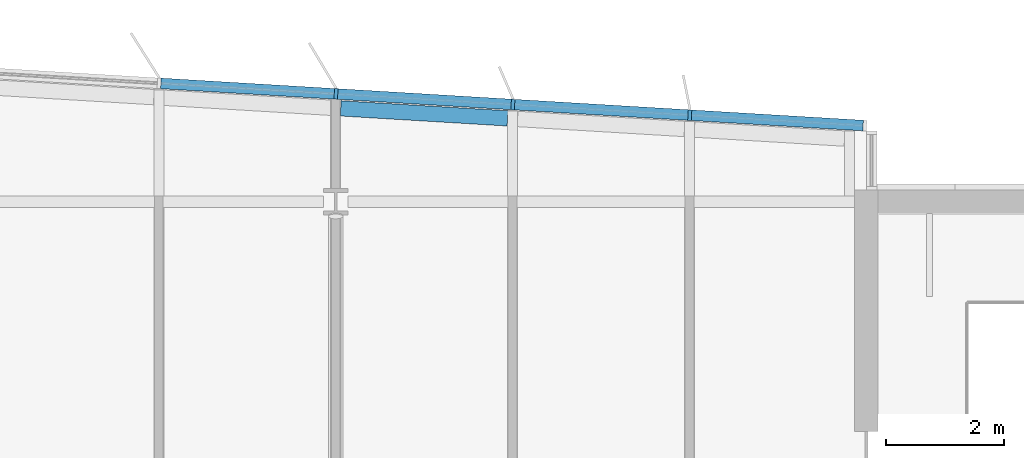
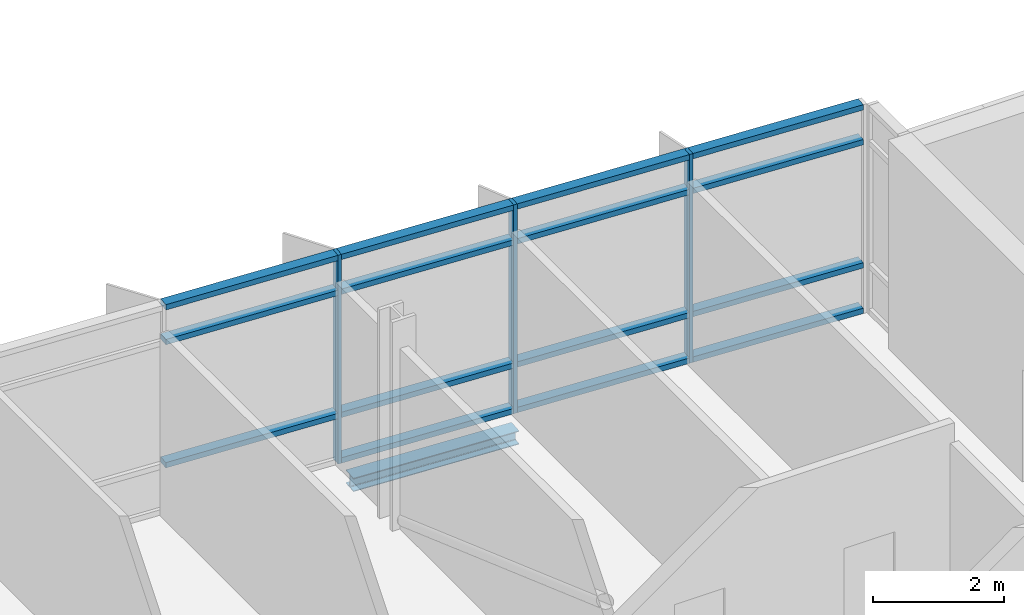
# One storey, part 9 of 18: 18 members, 1 beam, 1 element without a shape of its own.
"""IFC4 building model written with IfcOpenShell, lengths in metres."""

from ifc_helpers import new_model, si_unit, direction, frame, origin, origin_2d, place, context, subcontext, project, spatial, rectangle, i_section, extrude, material, material_profile, profile_set, type_object, element, aggregate, save


model = new_model("IFC4")

# Units and contexts
model_context = context("Model", 3, precision=1e-05, world=origin(), true_north=direction((0.0, 1.0)))
body_context = subcontext(model_context, "Body", "Model", "MODEL_VIEW")
ifc_project = project(units=[si_unit("LENGTHUNIT", "METRE"), si_unit("AREAUNIT", "SQUARE_METRE"), si_unit("VOLUMEUNIT", "CUBIC_METRE"), si_unit("PLANEANGLEUNIT", "RADIAN"), si_unit("MASSUNIT", "GRAM", prefix="KILO")], contexts=[model_context])

# Site, building, storey
site_placement = place(None, origin())
site = spatial("IfcSite", under=ifc_project, at=site_placement, CompositionType="ELEMENT")
building_placement = place(site_placement, origin())
building = spatial("IfcBuilding", under=site, at=building_placement, Name="Azimuth Sports and Learning Centre", CompositionType="ELEMENT")
storey_placement = place(building_placement, frame((0.0, 0.0, 55.800048828125)))
storey = spatial("IfcBuildingStorey", under=building, at=storey_placement, Name="L12", CompositionType="ELEMENT", Elevation=55.800048828125)

# Beam
ifc_material_1 = material(Name="Steel S355", Category="steel")
ifc_material_profile_1 = material_profile(ifc_material_1, i_section(OverallWidth=0.260009765625, OverallDepth=0.25, WebThickness=0.007568359375, FlangeThickness=0.012451171875, FilletRadius=0.02392578125, at=origin_2d()), Name="HEA 260")
ifc_profile_set_1 = profile_set([ifc_material_profile_1], Name="Steel S355")
beam_type = type_object("IfcBeamType", Name="Edge beam HEA 260", PredefinedType="SPANDREL", material=ifc_profile_set_1)
beam_placement = place(storey_placement, frame((99.0849609375, 118.5849609375, -0.255126953125), z_axis=(0.998202373506, -0.059933475842, 0.0), x_axis=(0.059933475842, 0.998202373506, 0.0)))
element("IfcBeam", 1, at=beam_placement, inside=storey, type_object=beam_type, Name="Tower edge beam", PredefinedType="SPANDREL", context=body_context, shape_type="SweptSolid", body=[
    extrude(i_section(OverallWidth=0.260009765625, OverallDepth=0.25, WebThickness=0.007568359375, FlangeThickness=0.012451171875, FilletRadius=0.02392578125, at=origin_2d()), origin(), (0.0, 0.0, 1.0), 2.835205078125),
])

# Curtain wall, members
ifc_material_2 = material(Name="Aluminium and glass", Category="aluminium")
curtain_wall_type = type_object("IfcCurtainWallType", Name="Curtain wall tower north 180", PredefinedType="NOTDEFINED", material=ifc_material_2)
curtain_wall_placement = place(storey_placement, origin())
curtain_wall = element("IfcCurtainWall", 2, at=curtain_wall_placement, inside=storey, type_object=curtain_wall_type, Name="Curtain wall CW12-007", PredefinedType="NOTDEFINED")
ifc_material_3 = material(Name="Aluminium", Category="aluminium")
ifc_material_profile_2 = material_profile(ifc_material_3, rectangle(XDim=0.179931640625, YDim=0.06005859375, at=origin_2d()), Name="Mullion 60x180")
ifc_profile_set_2 = profile_set([ifc_material_profile_2], Name="Aluminium")
member_type_1 = type_object("IfcMemberType", Name="Mullion 60x180", PredefinedType="MULLION", material=ifc_profile_set_2)
member_1_placement = place(storey_placement, frame((105.00537109375, 118.4697265625, 0.0), z_axis=(0.0, 0.0, 1.0), x_axis=(-0.059891991812, -0.998204863401, 0.0)))
member_1 = element("IfcMember", 3, at=member_1_placement, type_object=member_type_1, Name="CW12-007 mullion 2", PredefinedType="MULLION", context=body_context, shape_type="SweptSolid", body=[
    extrude(rectangle(XDim=0.179931640625, YDim=0.06005859375, at=origin_2d()), origin(), (0.0, 0.0, 1.0), 3.89990234375),
])
member_2_placement = place(storey_placement, frame((102.00537109375, 118.64990234375, 0.0), z_axis=(0.0, 0.0, 1.0), x_axis=(-0.059891991812, -0.998204863401, 0.0)))
member_2 = element("IfcMember", 4, at=member_2_placement, type_object=member_type_1, Name="CW12-007 mullion 3", PredefinedType="MULLION", context=body_context, shape_type="SweptSolid", body=[
    extrude(rectangle(XDim=0.179931640625, YDim=0.06005859375, at=origin_2d()), origin(), (0.0, 0.0, 1.0), 3.89990234375),
])
member_3_placement = place(storey_placement, frame((99.00537109375, 118.829833984375, 0.0), z_axis=(0.0, 0.0, 1.0), x_axis=(-0.059891991812, -0.998204863401, 0.0)))
member_3 = element("IfcMember", 5, at=member_3_placement, type_object=member_type_1, Name="CW12-007 mullion 4", PredefinedType="MULLION", context=body_context, shape_type="SweptSolid", body=[
    extrude(rectangle(XDim=0.179931640625, YDim=0.06005859375, at=origin_2d()), origin(), (0.0, 0.0, 1.0), 3.89990234375),
])
ifc_material_4 = material(Name="Aluminium", Category="aluminium")
ifc_material_profile_3 = material_profile(ifc_material_4, rectangle(XDim=0.179931640625, YDim=0.10009765625, at=origin_2d()), Name="Transom 100x180")
ifc_profile_set_3 = profile_set([ifc_material_profile_3], Name="Aluminium")
member_type_2 = type_object("IfcMemberType", Name="Transom 100x180", PredefinedType="USERDEFINED", material=ifc_profile_set_3)
member_4_placement = place(storey_placement, frame((107.945556640625, 118.29345703125, 0.050048828125), z_axis=(-0.998205846627, 0.059875602377, 0.0), x_axis=(-0.059875602377, -0.998205846627, 0.0)))
member_4 = element("IfcMember", 6, at=member_4_placement, type_object=member_type_2, Name="CW12-007 transom 1.1", ObjectType="TRANSOM", PredefinedType="USERDEFINED", context=body_context, shape_type="SweptSolid", body=[
    extrude(rectangle(XDim=0.179931640625, YDim=0.10009765625, at=origin_2d()), origin(), (0.0, 0.0, 1.0), 2.915283203125),
])
member_5_placement = place(storey_placement, frame((107.945556640625, 118.29345703125, 0.89990234375), z_axis=(-0.998205846627, 0.059875602377, 0.0), x_axis=(-0.059875602377, -0.998205846627, 0.0)))
member_5 = element("IfcMember", 7, at=member_5_placement, type_object=member_type_2, Name="CW12-007 transom 1.2", ObjectType="TRANSOM", PredefinedType="USERDEFINED", context=body_context, shape_type="SweptSolid", body=[
    extrude(rectangle(XDim=0.179931640625, YDim=0.10009765625, at=origin_2d()), origin(), (0.0, 0.0, 1.0), 2.915283203125),
])
member_6_placement = place(storey_placement, frame((107.945556640625, 118.29345703125, 3.199951171875), z_axis=(-0.998205846627, 0.059875602377, 0.0), x_axis=(-0.059875602377, -0.998205846627, 0.0)))
member_6 = element("IfcMember", 8, at=member_6_placement, type_object=member_type_2, Name="CW12-007 transom 1.3", ObjectType="TRANSOM", PredefinedType="USERDEFINED", context=body_context, shape_type="SweptSolid", body=[
    extrude(rectangle(XDim=0.179931640625, YDim=0.10009765625, at=origin_2d()), origin(), (0.0, 0.0, 1.0), 2.915283203125),
])
member_7_placement = place(storey_placement, frame((107.945556640625, 118.29345703125, 3.849853515625), z_axis=(-0.998205846627, 0.059875602377, 0.0), x_axis=(-0.059875602377, -0.998205846627, 0.0)))
member_7 = element("IfcMember", 9, at=member_7_placement, type_object=member_type_2, Name="CW12-007 transom 1.4", ObjectType="TRANSOM", PredefinedType="USERDEFINED", context=body_context, shape_type="SweptSolid", body=[
    extrude(rectangle(XDim=0.179931640625, YDim=0.10009765625, at=origin_2d()), origin(), (0.0, 0.0, 1.0), 2.915283203125),
])
member_8_placement = place(storey_placement, frame((104.975341796875, 118.4716796875, 0.050048828125), z_axis=(-0.998207421552, 0.059849340505, 0.0), x_axis=(-0.059849340505, -0.998207421552, 0.0)))
member_8 = element("IfcMember", 10, at=member_8_placement, type_object=member_type_2, Name="CW12-007 transom 2.1", ObjectType="TRANSOM", PredefinedType="USERDEFINED", context=body_context, shape_type="SweptSolid", body=[
    extrude(rectangle(XDim=0.179931640625, YDim=0.10009765625, at=origin_2d()), origin(), (0.0, 0.0, 1.0), 2.9453125),
])
member_9_placement = place(storey_placement, frame((104.975341796875, 118.4716796875, 0.89990234375), z_axis=(-0.998207421552, 0.059849340505, 0.0), x_axis=(-0.059849340505, -0.998207421552, 0.0)))
member_9 = element("IfcMember", 11, at=member_9_placement, type_object=member_type_2, Name="CW12-007 transom 2.2", ObjectType="TRANSOM", PredefinedType="USERDEFINED", context=body_context, shape_type="SweptSolid", body=[
    extrude(rectangle(XDim=0.179931640625, YDim=0.10009765625, at=origin_2d()), origin(), (0.0, 0.0, 1.0), 2.9453125),
])
member_10_placement = place(storey_placement, frame((104.975341796875, 118.4716796875, 3.199951171875), z_axis=(-0.998207421552, 0.059849340505, 0.0), x_axis=(-0.059849340505, -0.998207421552, 0.0)))
member_10 = element("IfcMember", 12, at=member_10_placement, type_object=member_type_2, Name="CW12-007 transom 2.3", ObjectType="TRANSOM", PredefinedType="USERDEFINED", context=body_context, shape_type="SweptSolid", body=[
    extrude(rectangle(XDim=0.179931640625, YDim=0.10009765625, at=origin_2d()), origin(), (0.0, 0.0, 1.0), 2.9453125),
])
member_11_placement = place(storey_placement, frame((104.975341796875, 118.4716796875, 3.849853515625), z_axis=(-0.998207421552, 0.059849340505, 0.0), x_axis=(-0.059849340505, -0.998207421552, 0.0)))
member_11 = element("IfcMember", 13, at=member_11_placement, type_object=member_type_2, Name="CW12-007 transom 2.4", ObjectType="TRANSOM", PredefinedType="USERDEFINED", context=body_context, shape_type="SweptSolid", body=[
    extrude(rectangle(XDim=0.179931640625, YDim=0.10009765625, at=origin_2d()), origin(), (0.0, 0.0, 1.0), 2.9453125),
])
member_12_placement = place(storey_placement, frame((101.975341796875, 118.651611328125, 0.050048828125), z_axis=(-0.998202465912, 0.059931936792, 0.0), x_axis=(-0.059931936792, -0.998202465912, 0.0)))
member_12 = element("IfcMember", 14, at=member_12_placement, type_object=member_type_2, Name="CW12-007 transom 3.1", ObjectType="TRANSOM", PredefinedType="USERDEFINED", context=body_context, shape_type="SweptSolid", body=[
    extrude(rectangle(XDim=0.179931640625, YDim=0.10009765625, at=origin_2d()), origin(), (0.0, 0.0, 1.0), 2.9453125),
])
member_13_placement = place(storey_placement, frame((101.975341796875, 118.651611328125, 0.89990234375), z_axis=(-0.998202465912, 0.059931936792, 0.0), x_axis=(-0.059931936792, -0.998202465912, 0.0)))
member_13 = element("IfcMember", 15, at=member_13_placement, type_object=member_type_2, Name="CW12-007 transom 3.2", ObjectType="TRANSOM", PredefinedType="USERDEFINED", context=body_context, shape_type="SweptSolid", body=[
    extrude(rectangle(XDim=0.179931640625, YDim=0.10009765625, at=origin_2d()), origin(), (0.0, 0.0, 1.0), 2.9453125),
])
member_14_placement = place(storey_placement, frame((101.975341796875, 118.651611328125, 3.199951171875), z_axis=(-0.998202465912, 0.059931936792, 0.0), x_axis=(-0.059931936792, -0.998202465912, 0.0)))
member_14 = element("IfcMember", 16, at=member_14_placement, type_object=member_type_2, Name="CW12-007 transom 3.3", ObjectType="TRANSOM", PredefinedType="USERDEFINED", context=body_context, shape_type="SweptSolid", body=[
    extrude(rectangle(XDim=0.179931640625, YDim=0.10009765625, at=origin_2d()), origin(), (0.0, 0.0, 1.0), 2.9453125),
])
member_15_placement = place(storey_placement, frame((101.975341796875, 118.651611328125, 3.849853515625), z_axis=(-0.998202465912, 0.059931936792, 0.0), x_axis=(-0.059931936792, -0.998202465912, 0.0)))
member_15 = element("IfcMember", 17, at=member_15_placement, type_object=member_type_2, Name="CW12-007 transom 3.4", ObjectType="TRANSOM", PredefinedType="USERDEFINED", context=body_context, shape_type="SweptSolid", body=[
    extrude(rectangle(XDim=0.179931640625, YDim=0.10009765625, at=origin_2d()), origin(), (0.0, 0.0, 1.0), 2.9453125),
])
member_16_placement = place(storey_placement, frame((98.975341796875, 118.83154296875, 0.89990234375), z_axis=(-0.998202465912, 0.059931936792, 0.0), x_axis=(-0.059931936792, -0.998202465912, 0.0)))
member_16 = element("IfcMember", 18, at=member_16_placement, type_object=member_type_2, Name="CW12-007 transom 4.2", ObjectType="TRANSOM", PredefinedType="USERDEFINED", context=body_context, shape_type="SweptSolid", body=[
    extrude(rectangle(XDim=0.179931640625, YDim=0.10009765625, at=origin_2d()), origin(), (0.0, 0.0, 1.0), 2.9453125),
])
member_17_placement = place(storey_placement, frame((98.975341796875, 118.83154296875, 3.199951171875), z_axis=(-0.998202465912, 0.059931936792, 0.0), x_axis=(-0.059931936792, -0.998202465912, 0.0)))
member_17 = element("IfcMember", 19, at=member_17_placement, type_object=member_type_2, Name="CW12-007 transom 4.3", ObjectType="TRANSOM", PredefinedType="USERDEFINED", context=body_context, shape_type="SweptSolid", body=[
    extrude(rectangle(XDim=0.179931640625, YDim=0.10009765625, at=origin_2d()), origin(), (0.0, 0.0, 1.0), 2.9453125),
])
member_18_placement = place(storey_placement, frame((98.975341796875, 118.83154296875, 3.849853515625), z_axis=(-0.998202465912, 0.059931936792, 0.0), x_axis=(-0.059931936792, -0.998202465912, 0.0)))
member_18 = element("IfcMember", 20, at=member_18_placement, type_object=member_type_2, Name="CW12-007 transom 4.4", ObjectType="TRANSOM", PredefinedType="USERDEFINED", context=body_context, shape_type="SweptSolid", body=[
    extrude(rectangle(XDim=0.179931640625, YDim=0.10009765625, at=origin_2d()), origin(), (0.0, 0.0, 1.0), 2.9453125),
])
aggregate(curtain_wall, [member_1, member_2, member_3, member_4, member_5, member_6, member_7, member_8, member_9, member_10, member_11, member_12, member_13, member_14, member_15, member_16, member_17, member_18])

save(model, "model.ifc")
